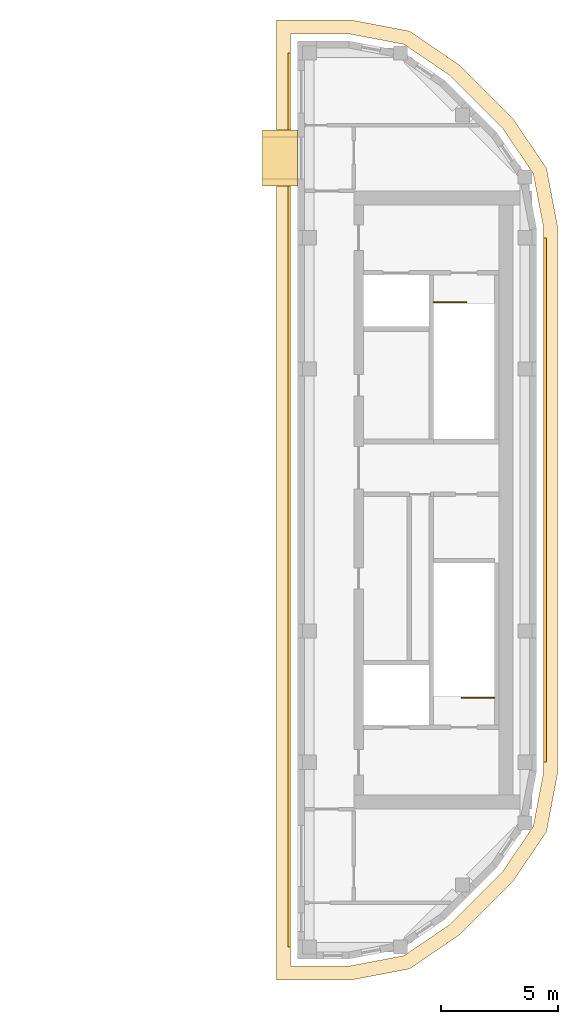
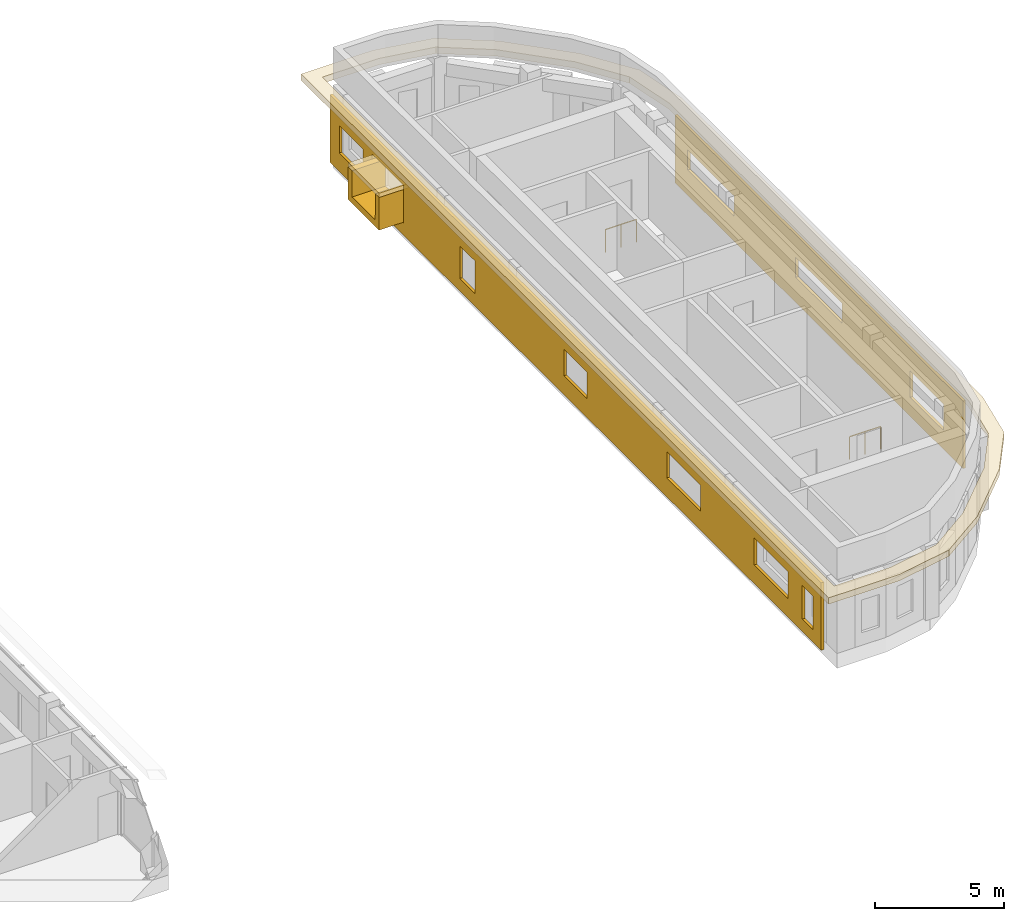
# One storey, part 16 of 16: 5 coverings, 2 railings.
"""IFC4 building model written with IfcOpenShell, lengths in metres."""

from ifc_helpers import new_model, si_unit, direction, frame, origin, origin_2d, place, context, subcontext, project, spatial, polyline, rectangle, circle, outline, extrude, material, layer, layer_set, type_object, element, save


model = new_model("IFC4")

# Units and contexts
model_context = context("Model", 3, precision=1e-05, world=origin(), true_north=direction((0.0, 1.0)))
body_context = subcontext(model_context, "Body", "Model", "MODEL_VIEW")
ifc_project = project(units=[si_unit("LENGTHUNIT", "METRE"), si_unit("AREAUNIT", "SQUARE_METRE"), si_unit("VOLUMEUNIT", "CUBIC_METRE"), si_unit("PLANEANGLEUNIT", "RADIAN"), si_unit("MASSUNIT", "GRAM", prefix="KILO")], contexts=[model_context])

# Site, building, storey
site_placement = place(None, origin())
site = spatial("IfcSite", under=ifc_project, at=site_placement, CompositionType="ELEMENT")
building_placement = place(site_placement, origin())
building = spatial("IfcBuilding", under=site, at=building_placement, Name="Kiln Ring Residences", CompositionType="ELEMENT")
storey_placement = place(building_placement, frame((0.0, 0.0, 313.89990234375)))
storey = spatial("IfcBuildingStorey", under=building, at=storey_placement, Name="L81 Crown", CompositionType="ELEMENT", Elevation=313.89990234375)

# Railings
ifc_material_1 = material(Name="Stainless steel", Category="steel")
railing_type = type_object("IfcRailingType", Name="CORE-STAIR-GUARD", PredefinedType="GUARDRAIL", material=ifc_material_1)
railing_1_placement = place(storey_placement, frame((20.800048828125, 8.449951171875, 0.0)))
element("IfcRailing", 1, at=railing_1_placement, inside=storey, type_object=railing_type, Name="L81 Crown E-STN top well guard 1", PredefinedType="GUARDRAIL", context=body_context, shape_type="SweptSolid", body=[
    extrude(circle(Radius=0.02392578125, at=origin_2d()), frame((0.0, 0.0, 1.076171875), z_axis=(1.0, 0.0, 0.0), x_axis=(0.0, 1.0, 0.0)), (0.0, 0.0, 1.0), 1.39990234375),
    extrude(circle(Radius=0.02099609375, at=origin_2d()), origin(), (0.0, 0.0, 1.0), 1.052001953125),
    extrude(circle(Radius=0.02099609375, at=origin_2d()), frame((0.699951171875, 0.0, 0.0)), (0.0, 0.0, 1.0), 1.052001953125),
    extrude(circle(Radius=0.02099609375, at=origin_2d()), frame((1.39990234375, 0.0, 0.0)), (0.0, 0.0, 1.0), 1.052001953125),
])
railing_2_placement = place(storey_placement, frame((23.39990234375, -8.449951171875, 0.0)))
element("IfcRailing", 2, at=railing_2_placement, inside=storey, type_object=railing_type, Name="L81 Crown E-STS top well guard 1", PredefinedType="GUARDRAIL", context=body_context, shape_type="SweptSolid", body=[
    extrude(circle(Radius=0.02392578125, at=origin_2d()), frame((0.0, 0.0, 1.076171875), z_axis=(-1.0, 0.0, 0.0), x_axis=(0.0, -1.0, 0.0)), (0.0, 0.0, 1.0), 1.39990234375),
    extrude(circle(Radius=0.02099609375, at=origin_2d()), origin(), (0.0, 0.0, 1.0), 1.052001953125),
    extrude(circle(Radius=0.02099609375, at=origin_2d()), frame((-0.699951171875, 0.0, 0.0)), (0.0, 0.0, 1.0), 1.052001953125),
    extrude(circle(Radius=0.02099609375, at=origin_2d()), frame((-1.39990234375, 0.0, 0.0)), (0.0, 0.0, 1.0), 1.052001953125),
])

# Coverings
ifc_material_2 = material(Name="Brick masonry, dark clay brick", Category="masonry")
ifc_layer_1 = layer(ifc_material_2, 0.300048828125)
ifc_layer_set_1 = layer_set([ifc_layer_1], Name="FRAME CHEEKS AND SILL 1500")
covering_type_1 = type_object("IfcCoveringType", Name="FRAME CHEEKS AND SILL 1500", PredefinedType="CLADDING", material=ifc_layer_set_1)
covering_1_placement = place(storey_placement, frame((14.25, 15.800048828125, 0.60009765625), z_axis=(0.0, 0.0, 1.0), x_axis=(0.0, -1.0, 0.0)))
element("IfcCovering", 3, at=covering_1_placement, inside=storey, type_object=covering_type_1, Name="FRAME L81 Crown", PredefinedType="CLADDING", context=body_context, shape_type="SweptSolid", body=[
    extrude(outline(polyline([(0.0, 0.0), (2.400146484375, 0.0), (2.39990234375, 1.550048828125), (2.10107421875, 1.550048828125), (2.10009765625, 0.300048828125), (0.300048828125, 0.300048828125), (0.299072265625, 1.550048828125), (0.0, 1.550048828125), (0.0, 0.0)])), frame((0.0, 0.75, 0.0), z_axis=(0.0, -1.0, 0.0), x_axis=(1.0, 0.0, 0.0)), (0.0, 0.0, 1.0), 1.5),
])
ifc_material_3 = material(Name="Brick masonry, dark clay brick", Category="masonry")
ifc_layer_2 = layer(ifc_material_3, 0.199951171875)
ifc_layer_set_2 = layer_set([ifc_layer_2], Name="FRAME HEAD 1500")
covering_type_2 = type_object("IfcCoveringType", Name="FRAME HEAD 1500", PredefinedType="CLADDING", material=ifc_layer_set_2)
covering_2_placement = place(storey_placement, frame((14.25, 14.60009765625, 2.14990234375), z_axis=(0.0, 0.0, 1.0), x_axis=(0.0, -1.0, 0.0)))
element("IfcCovering", 4, at=covering_2_placement, inside=storey, type_object=covering_type_2, Name="FRAME HEAD L81 Crown", PredefinedType="CLADDING", context=body_context, shape_type="SweptSolid", body=[
    extrude(rectangle(XDim=2.39990234375, YDim=1.5, at=origin_2d()), origin(), (0.0, 0.0, 1.0), 0.199951171875),
])
ifc_material_4 = material(Name="Brick masonry, dark clay brick", Category="masonry")
ifc_layer_3 = layer(ifc_material_4, 0.1201171875)
ifc_layer_set_3 = layer_set([ifc_layer_3], Name="RAINSCREEN PANEL 120")
covering_type_3 = type_object("IfcCoveringType", Name="RAINSCREEN PANEL 120", PredefinedType="CLADDING", material=ifc_layer_set_3)
covering_3_placement = place(storey_placement, frame((14.639892578125, 19.10009765625, 0.0), z_axis=(0.0, 0.0, 1.0), x_axis=(0.0, -1.0, 0.0)))
element("IfcCovering", 5, at=covering_3_placement, inside=storey, type_object=covering_type_3, Name="RAINSCREEN L81 Crown", PredefinedType="CLADDING", context=body_context, shape_type="SweptSolid", body=[
    extrude(outline(polyline([(0.0, 0.0), (38.199951171875, 0.0), (38.199951171875, 3.2001953125), (0.0, 3.2001953125), (0.0, 0.0)]), holes=[polyline([(11.300048828125, 0.60009765625), (11.300048828125, 2.150146484375), (10.10009765625, 2.150146484375), (10.10009765625, 0.60009765625), (11.300048828125, 0.60009765625)]), polyline([(36.717529296875, 0.580078125), (37.5576171875, 0.580078125), (37.5576171875, 2.170166015625), (36.717529296875, 2.170166015625), (36.717529296875, 0.580078125)]), polyline([(3.280029296875, 0.580078125), (5.719970703125, 0.580078125), (5.719970703125, 2.3701171875), (3.280029296875, 2.3701171875), (3.280029296875, 0.580078125)]), polyline([(0.742431640625, 0.880126953125), (2.58251953125, 0.880126953125), (2.58251953125, 2.170166015625), (0.742431640625, 2.170166015625), (0.742431640625, 0.880126953125)]), polyline([(18.199951171875, 0.900146484375), (20.0, 0.900146484375), (20.0, 2.150146484375), (18.199951171875, 2.150146484375), (18.199951171875, 0.900146484375)]), polyline([(26.199951171875, 0.900146484375), (28.800048828125, 0.900146484375), (28.800048828125, 2.150146484375), (26.199951171875, 2.150146484375), (26.199951171875, 0.900146484375)]), polyline([(32.97998046875, 0.880126953125), (35.6201171875, 0.880126953125), (35.6201171875, 2.170166015625), (32.97998046875, 2.170166015625), (32.97998046875, 0.880126953125)])]), frame((0.0, 0.06005859375, 0.0), z_axis=(0.0, -1.0, 0.0), x_axis=(1.0, 0.0, 0.0)), (0.0, 0.0, 1.0), 0.1201171875),
])
covering_4_placement = place(storey_placement, frame((25.56005859375, -11.199951171875, 0.0), z_axis=(0.0, 0.0, 1.0), x_axis=(0.0, 1.0, 0.0)))
element("IfcCovering", 6, at=covering_4_placement, inside=storey, type_object=covering_type_3, Name="RAINSCREEN L81 Crown", PredefinedType="CLADDING", context=body_context, shape_type="SweptSolid", body=[
    extrude(outline(polyline([(0.0, 0.0), (22.39990234375, 0.0), (22.39990234375, 3.2001953125), (0.0, 3.2001953125), (0.0, 0.0)]), holes=[polyline([(4.10009765625, 2.150146484375), (1.5, 2.150146484375), (1.5, 0.900146484375), (4.10009765625, 0.900146484375), (4.10009765625, 2.150146484375)]), polyline([(13.0, 1.2001953125), (13.0, 2.150146484375), (9.39990234375, 2.150146484375), (9.39990234375, 1.2001953125), (13.0, 1.2001953125)]), polyline([(21.39990234375, 1.2001953125), (21.39990234375, 2.150146484375), (17.800048828125, 2.150146484375), (17.800048828125, 1.2001953125), (21.39990234375, 1.2001953125)])]), frame((0.0, 0.06005859375, 0.0), z_axis=(0.0, -1.0, 0.0), x_axis=(1.0, 0.0, 0.0)), (0.0, 0.0, 1.0), 0.1201171875),
])
ifc_material_5 = material(Name="Black powder-coated steel", Category="steel")
ifc_layer_4 = layer(ifc_material_5, 0.300048828125)
ifc_layer_set_4 = layer_set([ifc_layer_4], Name="SUNSHADE FIN 600")
covering_type_4 = type_object("IfcCoveringType", Name="SUNSHADE FIN 600", PredefinedType="CLADDING", material=ifc_layer_set_4)
covering_5_placement = place(storey_placement, frame((0.0, 0.0, 3.2001953125)))
element("IfcCovering", 7, at=covering_5_placement, inside=storey, type_object=covering_type_4, Name="SUNSHADE FIN L81 Crown", PredefinedType="CLADDING", context=body_context, shape_type="SweptSolid", body=[
    extrude(outline(polyline([(17.28515625, 20.5), (14.10009765625, 20.5), (14.10009765625, -20.5), (17.28515625, -20.5), (19.77587890625, -20.02490234375), (21.873291015625, -18.599609375), (24.199462890625, -16.273193359375), (25.625, -14.176025390625), (26.10009765625, -11.68505859375), (26.10009765625, 11.68505859375), (25.625, 14.176025390625), (24.199462890625, 16.273193359375), (21.873291015625, 18.599609375), (19.77587890625, 20.02490234375), (17.28515625, 20.5)]), holes=[polyline([(14.699951171875, -19.89990234375), (14.699951171875, 19.89990234375), (17.228515625, 19.89990234375), (19.54150390625, 19.458740234375), (21.489013671875, 18.135009765625), (23.735107421875, 15.88916015625), (25.058837890625, 13.94140625), (25.5, 11.62841796875), (25.5, -11.62841796875), (25.058837890625, -13.94140625), (23.735107421875, -15.88916015625), (21.489013671875, -18.135009765625), (19.54150390625, -19.458740234375), (17.228515625, -19.89990234375), (14.699951171875, -19.89990234375)])]), origin(), (0.0, 0.0, 1.0), 0.2998046875),
])

save(model, "model.ifc")
